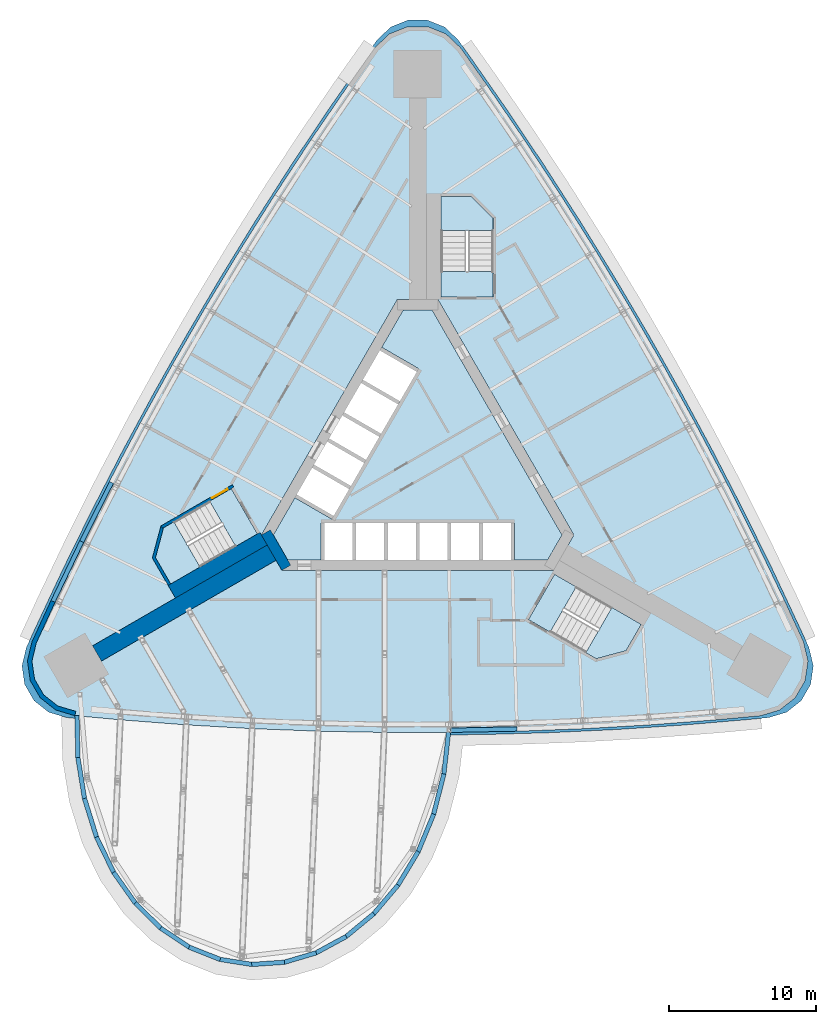
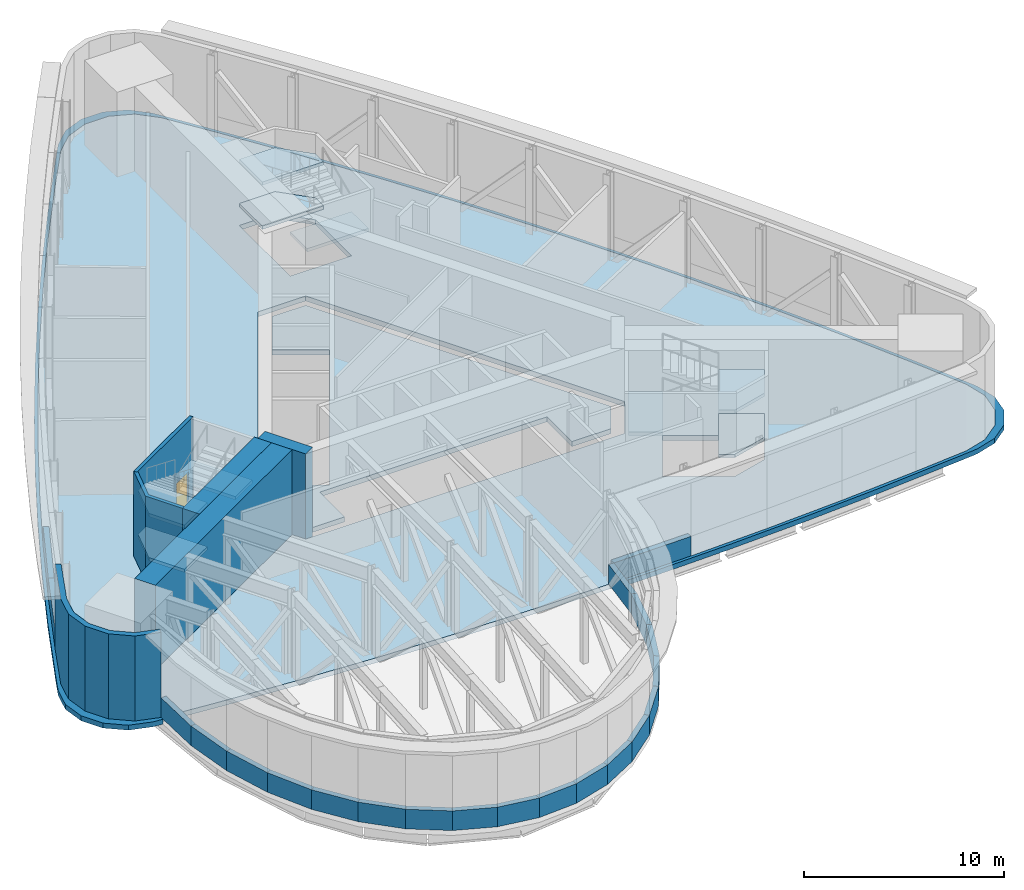
# One storey, part 5 of 10: 27 walls, 12 slabs, 1 door, 1 opening, 3 elements without a shape of their own.
"""IFC4 building model written with IfcOpenShell, lengths in metres."""

from ifc_helpers import new_model, si_unit, direction, frame, frame_2d, origin, place, context, subcontext, project, spatial, polyline, rectangle, outline, extrude, material, layer, layer_set, type_object, element, fill, aggregate, save


model = new_model("IFC4")

# Units and contexts
model_context = context("Model", 3, precision=1e-05, world=origin(), true_north=direction((0.0, 1.0)))
body_context = subcontext(model_context, "Body", "Model", "MODEL_VIEW")
ifc_project = project(units=[si_unit("LENGTHUNIT", "METRE"), si_unit("AREAUNIT", "SQUARE_METRE"), si_unit("VOLUMEUNIT", "CUBIC_METRE"), si_unit("PLANEANGLEUNIT", "RADIAN"), si_unit("MASSUNIT", "GRAM", prefix="KILO")], contexts=[model_context])

# Site, building, storey
site_placement = place(None, origin())
site = spatial("IfcSite", under=ifc_project, at=site_placement, CompositionType="ELEMENT")
building_placement = place(site_placement, origin())
building = spatial("IfcBuilding", under=site, at=building_placement, Name="Noor Cloister Tower", CompositionType="ELEMENT")
storey_placement = place(building_placement, frame((0.0, 0.0, 52.800048828125)))
storey = spatial("IfcBuildingStorey", under=building, at=storey_placement, Name="L13", CompositionType="ELEMENT", Elevation=52.800048828125)

# Slabs
ifc_material_1 = material(Name="Concrete C40/50", Category="concrete")
ifc_layer_1 = layer(ifc_material_1, 0.300048828125)
ifc_layer_set_1 = layer_set([ifc_layer_1], Name="Core floor slab 300 C40/50")
slab_type_1 = type_object("IfcSlabType", Name="Core floor slab 300 C40/50", PredefinedType="FLOOR", material=ifc_layer_set_1)
slab_1_placement = place(storey_placement, frame((0.0, 0.0, -0.300048828125)))
element("IfcSlab", 1, at=slab_1_placement, inside=storey, type_object=slab_type_1, Name="Core floor L13", PredefinedType="FLOOR", context=body_context, shape_type="SweptSolid", body=[
    extrude(outline(polyline([(-6.574951171875, -6.228271484375), (-6.574951171875, -3.728271484375), (6.574951171875, -3.728271484375), (6.574951171875, -6.228271484375), (8.82470703125, -6.228271484375), (9.80615234375, -4.5283203125), (0.9814453125, 10.75634765625), (-0.9814453125, 10.75634765625), (-2.44384765625, 8.2236328125), (0.067626953125, 6.773681640625), (-5.832275390625, -3.4453125), (-8.34375, -1.995361328125), (-9.80615234375, -4.5283203125), (-8.82470703125, -6.228271484375), (-6.574951171875, -6.228271484375)])), origin(), (0.0, 0.0, 1.0), 0.300048828125),
])
ifc_material_2 = material(Name="Concrete C40/50", Category="concrete")
ifc_layer_2 = layer(ifc_material_2, 0.300048828125)
ifc_layer_set_2 = layer_set([ifc_layer_2], Name="Floor slab 300 C40/50")
slab_type_2 = type_object("IfcSlabType", Name="Floor slab 300 C40/50", PredefinedType="FLOOR", material=ifc_layer_set_2)
slab_2_placement = place(storey_placement, frame((0.0, 0.0, -0.300048828125)))
element("IfcSlab", 2, at=slab_2_placement, inside=storey, type_object=slab_type_2, Name="Floor slab L13", PredefinedType="FLOOR", context=body_context, shape_type="SweptSolid", body=[
    extrude(outline(polyline([(2.90087890625, 28.576171875), (1.923828125, 29.502197265625), (0.673095703125, 30.000732421875), (-0.673095703125, 30.000732421875), (-1.923828125, 29.502197265625), (-2.90087890625, 28.576171875), (-4.683837890625, 26.05810546875), (-7.224609375, 22.343994140625), (-9.69384765625, 18.582275390625), (-12.091064453125, 14.77392578125), (-14.4150390625, 10.920654296875), (-16.6650390625, 7.0234375), (-18.840087890625, 3.084228515625), (-20.939697265625, -0.89599609375), (-22.962890625, -4.91552734375), (-24.908935546875, -8.972900390625), (-26.1982421875, -11.77587890625), (-26.511474609375, -13.085205078125), (-26.31787109375, -14.41748046875), (-25.644775390625, -15.583251953125), (-24.587890625, -16.417236328125), (-23.29736328125, -16.80029296875), (-20.22509765625, -17.085205078125), (-15.73828125, -17.4287109375), (-11.24560546875, -17.686279296875), (-6.7490234375, -17.858154296875), (-2.25, -17.944091796875), (2.25, -17.944091796875), (6.7490234375, -17.858154296875), (11.24560546875, -17.686279296875), (15.73828125, -17.4287109375), (20.22509765625, -17.085205078125), (23.29736328125, -16.80029296875), (24.587890625, -16.417236328125), (25.644775390625, -15.583251953125), (26.31787109375, -14.41748046875), (26.511474609375, -13.085205078125), (26.1982421875, -11.77587890625), (24.908935546875, -8.972900390625), (22.962890625, -4.91552734375), (20.939697265625, -0.89599609375), (18.840087890625, 3.084228515625), (16.6650390625, 7.0234375), (14.4150390625, 10.920654296875), (12.091064453125, 14.77392578125), (9.69384765625, 18.582275390625), (7.224609375, 22.343994140625), (4.683837890625, 26.05810546875), (2.90087890625, 28.576171875)]), holes=[polyline([(8.999755859375, -11.126220703125), (12.131591796875, -12.934326171875), (14.1572265625, -12.3916015625), (15.19091796875, -10.601318359375), (10.774658203125, -8.0517578125), (8.999755859375, -11.126220703125)]), polyline([(-17.81005859375, -6.064697265625), (-16.776611328125, -7.85498046875), (-12.3603515625, -5.305419921875), (-14.13525390625, -2.23095703125), (-16.662841796875, -3.690185546875), (-17.267333984375, -4.039306640625), (-17.81005859375, -6.064697265625)]), polyline([(-10.6142578125, -4.5283203125), (-9.228759765625, -6.92822265625), (9.228759765625, -6.92822265625), (10.6142578125, -4.5283203125), (1.3857421875, 11.456298828125), (-1.3857421875, 11.456298828125), (-10.6142578125, -4.5283203125)]), polyline([(3.65283203125, 18.456298828125), (1.585693359375, 18.456298828125), (1.585693359375, 13.35693359375), (5.135498046875, 13.35693359375), (5.135498046875, 16.9736328125), (3.65283203125, 18.456298828125)])]), origin(), (0.0, 0.0, 1.0), 0.300048828125),
])
ifc_material_3 = material(Name="Concrete C40/50", Category="concrete")
ifc_layer_3 = layer(ifc_material_3, 0.300048828125)
ifc_layer_set_3 = layer_set([ifc_layer_3], Name="Ledge roof 300 C40/50")
slab_type_3 = type_object("IfcSlabType", Name="Ledge roof 300 C40/50", PredefinedType="ROOF", material=ifc_layer_set_3)
slab_3_placement = place(storey_placement, frame((0.0, 0.0, -0.300048828125)))
element("IfcSlab", 3, at=slab_3_placement, inside=storey, type_object=slab_type_3, Name="Ledge roof L13", PredefinedType="ROOF", context=body_context, shape_type="SweptSolid", body=[
    extrude(outline(polyline([(6.12109375, 24.298828125), (3.548095703125, 27.990478515625), (2.743896484375, 29.1142578125), (1.819091796875, 29.98876953125), (0.636474609375, 30.45947265625), (-0.636474609375, 30.45947265625), (-1.819091796875, 29.98876953125), (-2.743896484375, 29.1142578125), (-3.548095703125, 27.990478515625), (-6.12109375, 24.298828125), (-8.6240234375, 20.55908203125), (-11.0556640625, 16.77294921875), (-13.415283203125, 12.941162109375), (-15.7021484375, 9.065673828125), (-17.9150390625, 5.1474609375), (-20.053466796875, 1.18798828125), (-22.11669921875, -2.81103515625), (-24.10400390625, -6.848388671875), (-26.014404296875, -10.922607421875), (-26.585693359375, -12.180908203125), (-26.880615234375, -13.419189453125), (-26.697021484375, -14.6787109375), (-26.060546875, -15.781005859375), (-25.0615234375, -16.56982421875), (-23.841796875, -16.933349609375), (-23.29296875, -16.987060546875), (-23.29736328125, -16.80029296875), (-24.587890625, -16.417236328125), (-25.644775390625, -15.583251953125), (-26.31787109375, -14.41748046875), (-26.511474609375, -13.085205078125), (-26.1982421875, -11.77587890625), (-24.908935546875, -8.972900390625), (-22.962890625, -4.91552734375), (-20.939697265625, -0.89599609375), (-18.840087890625, 3.084228515625), (-16.6650390625, 7.0234375), (-14.4150390625, 10.920654296875), (-12.091064453125, 14.77392578125), (-9.69384765625, 18.582275390625), (-7.224609375, 22.343994140625), (-4.683837890625, 26.05810546875), (-2.90087890625, 28.576171875), (-1.923828125, 29.502197265625), (-0.673095703125, 30.000732421875), (0.673095703125, 30.000732421875), (1.923828125, 29.502197265625), (2.90087890625, 28.576171875), (4.683837890625, 26.05810546875), (7.224609375, 22.343994140625), (9.69384765625, 18.582275390625), (12.091064453125, 14.77392578125), (14.4150390625, 10.920654296875), (16.6650390625, 7.0234375), (18.840087890625, 3.084228515625), (20.939697265625, -0.89599609375), (22.962890625, -4.91552734375), (24.908935546875, -8.972900390625), (26.1982421875, -11.77587890625), (26.511474609375, -13.085205078125), (26.31787109375, -14.41748046875), (25.644775390625, -15.583251953125), (24.587890625, -16.417236328125), (23.29736328125, -16.80029296875), (20.22509765625, -17.085205078125), (15.73828125, -17.4287109375), (11.24560546875, -17.686279296875), (6.7490234375, -17.858154296875), (2.25, -17.944091796875), (2.231201171875, -18.110107421875), (4.499755859375, -18.088623046875), (8.997802734375, -17.9609375), (13.49267578125, -17.748291015625), (17.98291015625, -17.450439453125), (22.466552734375, -17.06787109375), (23.841796875, -16.933349609375), (25.0615234375, -16.56982421875), (26.060546875, -15.781005859375), (26.697021484375, -14.6787109375), (26.880615234375, -13.419189453125), (26.585693359375, -12.180908203125), (26.014404296875, -10.922607421875), (24.10400390625, -6.848388671875), (22.11669921875, -2.81103515625), (20.053466796875, 1.18798828125), (17.9150390625, 5.1474609375), (15.7021484375, 9.065673828125), (13.415283203125, 12.941162109375), (11.0556640625, 16.77294921875), (8.6240234375, 20.55908203125), (6.12109375, 24.298828125)])), origin(), (0.0, 0.0, 1.0), 0.300048828125),
])

# Stair, slabs
ifc_material_4 = material(Name="Concrete C40/50", Category="concrete")
stair_type = type_object("IfcStairType", Name="Exit stair 32 risers", PredefinedType="HALF_TURN_STAIR", material=ifc_material_4)
stair_1_placement = place(storey_placement, origin())
stair_1 = element("IfcStair", 4, at=stair_1_placement, inside=storey, type_object=stair_type, Name="Exit stair ST1 L13", PredefinedType="HALF_TURN_STAIR")
ifc_material_5 = material(Name="Concrete C40/50", Category="concrete")
ifc_layer_4 = layer(ifc_material_5, 0.199951171875)
ifc_layer_set_4 = layer_set([ifc_layer_4], Name="Stair landing 200 C40/50")
slab_type_4 = type_object("IfcSlabType", Name="Stair landing 200 C40/50", PredefinedType="LANDING", material=ifc_layer_set_4)
slab_4_placement = place(storey_placement, frame((0.0, 0.0, 1.14990234375)))
slab_4 = element("IfcSlab", 5, at=slab_4_placement, type_object=slab_type_4, Name="ST1 landing 1", PredefinedType="LANDING", context=body_context, shape_type="SweptSolid", body=[
    extrude(outline(polyline([(5.135498046875, 16.15576171875), (5.135498046875, 16.9736328125), (3.65283203125, 18.456298828125), (1.585693359375, 18.456298828125), (1.585693359375, 16.15576171875), (5.135498046875, 16.15576171875)])), origin(), (0.0, 0.0, 1.0), 0.199951171875),
])
slab_5_placement = place(storey_placement, frame((0.0, 0.0, 2.5)))
slab_5 = element("IfcSlab", 6, at=slab_5_placement, type_object=slab_type_4, Name="ST1 landing 2", PredefinedType="LANDING", context=body_context, shape_type="SweptSolid", body=[
    extrude(outline(polyline([(1.585693359375, 13.35693359375), (1.585693359375, 11.656494140625), (5.135498046875, 11.656494140625), (5.135498046875, 13.35693359375), (1.585693359375, 13.35693359375)])), origin(), (0.0, 0.0, 1.0), 0.199951171875),
])
slab_6_placement = place(storey_placement, frame((0.0, 0.0, 3.849853515625)))
slab_6 = element("IfcSlab", 7, at=slab_6_placement, type_object=slab_type_4, Name="ST1 landing 3", PredefinedType="LANDING", context=body_context, shape_type="SweptSolid", body=[
    extrude(outline(polyline([(5.135498046875, 16.15576171875), (5.135498046875, 16.9736328125), (3.65283203125, 18.456298828125), (1.585693359375, 18.456298828125), (1.585693359375, 16.15576171875), (5.135498046875, 16.15576171875)])), origin(), (0.0, 0.0, 1.0), 0.2001953125),
])
aggregate(stair_1, [slab_4, slab_5, slab_6])

stair_2_placement = place(storey_placement, origin())
stair_2 = element("IfcStair", 8, at=stair_2_placement, inside=storey, type_object=stair_type, Name="Exit stair ST2 L13", PredefinedType="HALF_TURN_STAIR")
slab_7_placement = place(storey_placement, frame((0.0, 0.0, 1.14990234375)))
slab_7 = element("IfcSlab", 9, at=slab_7_placement, type_object=slab_type_4, Name="ST2 landing 1", PredefinedType="LANDING", context=body_context, shape_type="SweptSolid", body=[
    extrude(outline(polyline([(-16.55908203125, -3.63037109375), (-17.267333984375, -4.039306640625), (-17.81005859375, -6.064697265625), (-16.776611328125, -7.85498046875), (-14.7841796875, -6.70458984375), (-16.55908203125, -3.63037109375)])), origin(), (0.0, 0.0, 1.0), 0.199951171875),
])
slab_8_placement = place(storey_placement, frame((0.0, 0.0, 2.5)))
slab_8 = element("IfcSlab", 10, at=slab_8_placement, type_object=slab_type_4, Name="ST2 landing 2", PredefinedType="LANDING", context=body_context, shape_type="SweptSolid", body=[
    extrude(outline(polyline([(-12.3603515625, -5.305419921875), (-10.8876953125, -4.455078125), (-12.66259765625, -1.380615234375), (-14.13525390625, -2.23095703125), (-12.3603515625, -5.305419921875)])), origin(), (0.0, 0.0, 1.0), 0.199951171875),
])
slab_9_placement = place(storey_placement, frame((0.0, 0.0, 3.849853515625)))
slab_9 = element("IfcSlab", 11, at=slab_9_placement, type_object=slab_type_4, Name="ST2 landing 3", PredefinedType="LANDING", context=body_context, shape_type="SweptSolid", body=[
    extrude(outline(polyline([(-16.55908203125, -3.63037109375), (-17.267333984375, -4.039306640625), (-17.81005859375, -6.064697265625), (-16.776611328125, -7.85498046875), (-14.7841796875, -6.70458984375), (-16.55908203125, -3.63037109375)])), origin(), (0.0, 0.0, 1.0), 0.2001953125),
])
aggregate(stair_2, [slab_7, slab_8, slab_9])

stair_3_placement = place(storey_placement, origin())
stair_3 = element("IfcStair", 12, at=stair_3_placement, inside=storey, type_object=stair_type, Name="Exit stair ST3 L13", PredefinedType="HALF_TURN_STAIR")
slab_10_placement = place(storey_placement, frame((0.0, 0.0, 1.14990234375)))
slab_10 = element("IfcSlab", 13, at=slab_10_placement, type_object=slab_type_4, Name="ST3 landing 1", PredefinedType="LANDING", context=body_context, shape_type="SweptSolid", body=[
    extrude(outline(polyline([(11.423583984375, -12.525390625), (12.131591796875, -12.934326171875), (14.1572265625, -12.3916015625), (15.19091796875, -10.601318359375), (13.198486328125, -9.451171875), (11.423583984375, -12.525390625)])), origin(), (0.0, 0.0, 1.0), 0.199951171875),
])
slab_11_placement = place(storey_placement, frame((0.0, 0.0, 2.5)))
slab_11 = element("IfcSlab", 14, at=slab_11_placement, type_object=slab_type_4, Name="ST3 landing 2", PredefinedType="LANDING", context=body_context, shape_type="SweptSolid", body=[
    extrude(outline(polyline([(10.774658203125, -8.0517578125), (9.302001953125, -7.201416015625), (7.52685546875, -10.27587890625), (8.999755859375, -11.126220703125), (10.774658203125, -8.0517578125)])), origin(), (0.0, 0.0, 1.0), 0.199951171875),
])
slab_12_placement = place(storey_placement, frame((0.0, 0.0, 3.849853515625)))
slab_12 = element("IfcSlab", 15, at=slab_12_placement, type_object=slab_type_4, Name="ST3 landing 3", PredefinedType="LANDING", context=body_context, shape_type="SweptSolid", body=[
    extrude(outline(polyline([(11.423583984375, -12.525390625), (12.131591796875, -12.934326171875), (14.1572265625, -12.3916015625), (15.19091796875, -10.601318359375), (13.198486328125, -9.451171875), (11.423583984375, -12.525390625)])), origin(), (0.0, 0.0, 1.0), 0.2001953125),
])
aggregate(stair_3, [slab_10, slab_11, slab_12])

# Walls
ifc_material_6 = material(Name="Concrete C80/95", Category="concrete")
ifc_layer_5 = layer(ifc_material_6, 1.199951171875)
ifc_layer_set_5 = layer_set([ifc_layer_5], Name="Buttress wall 1200 C80/95")
wall_type_1 = type_object("IfcWallType", Name="Buttress wall 1200 C80/95", PredefinedType="SHEAR", material=ifc_layer_set_5)
wall_1_placement = place(storey_placement, frame((-9.921630859375, -5.728271484375, -0.300048828125), z_axis=(0.0, 0.0, 1.0), x_axis=(-0.866030067197, -0.499991922645, 0.0)))
element("IfcWall", 16, at=wall_1_placement, inside=storey, type_object=wall_type_1, Name="Buttress wall SW L13", PredefinedType="SHEAR", context=body_context, shape_type="SweptSolid", body=[
    extrude(rectangle(XDim=13.698486328125, YDim=1.199951171875, at=frame_2d((6.84912109375, 0.0))), origin(), (0.0, 0.0, 1.0), 5.5),
])
ifc_material_7 = material(Name="Concrete C80/95", Category="concrete")
ifc_layer_6 = layer(ifc_material_7, 0.699951171875)
ifc_layer_set_6 = layer_set([ifc_layer_6], Name="Core wall 700 C80/95")
wall_type_2 = type_object("IfcWallType", Name="Core wall 700 C80/95", PredefinedType="SHEAR", material=ifc_layer_set_6)
wall_2_placement = place(storey_placement, frame((-10.311279296875, -4.353271484375, -0.300048828125), z_axis=(0.0, 0.0, 1.0), x_axis=(0.500042739161, -0.866000726912, 0.0)))
element("IfcWall", 17, at=wall_2_placement, inside=storey, type_object=wall_type_2, Name="Core wall L13 6", PredefinedType="SHEAR", context=body_context, shape_type="SweptSolid", body=[
    extrude(rectangle(XDim=2.771240234375, YDim=0.699951171875, at=frame_2d((1.3857421875, 0.0))), origin(), (0.0, 0.0, 1.0), 5.5),
])
ifc_material_8 = material(Name="Limestone", Category="masonry")
ifc_layer_7 = layer(ifc_material_8, 0.300048828125)
ifc_layer_set_7 = layer_set([ifc_layer_7], Name="Limestone cladding 300")
wall_type_3 = type_object("IfcWallType", Name="Limestone cladding 300", PredefinedType="NOTDEFINED", material=ifc_layer_set_7)
wall_3_placement = place(storey_placement, origin())
element("IfcWall", 18, at=wall_3_placement, inside=storey, type_object=wall_type_3, Name="Limestone pier cladding L13 1.1", PredefinedType="NOTDEFINED", context=body_context, shape_type="SweptSolid", body=[
    extrude(outline(polyline([(-24.908935546875, -8.972900390625), (-26.1982421875, -11.77587890625), (-26.511474609375, -13.085205078125), (-26.31787109375, -14.41748046875), (-25.644775390625, -15.583251953125), (-24.587890625, -16.417236328125), (-23.29736328125, -16.80029296875), (-23.2119140625, -16.5126953125), (-24.447265625, -16.14599609375), (-25.413818359375, -15.383544921875), (-26.029296875, -14.317138671875), (-26.206298828125, -13.098876953125), (-25.913330078125, -11.87451171875), (-24.63623046875, -9.09814453125), (-24.908935546875, -8.972900390625)])), origin(), (0.0, 0.0, 1.0), 5.199951171875),
])
ifc_material_9 = material(Name="Limestone", Category="masonry")
ifc_layer_8 = layer(ifc_material_9, 0.300048828125)
ifc_layer_set_8 = layer_set([ifc_layer_8], Name="Limestone panel wall 300")
wall_type_4 = type_object("IfcWallType", Name="Limestone panel wall 300", PredefinedType="NOTDEFINED", material=ifc_layer_set_8)
wall_4_placement = place(storey_placement, origin())
element("IfcWall", 19, at=wall_4_placement, inside=storey, type_object=wall_type_4, Name="Limestone panel wall L13 1.8", PredefinedType="NOTDEFINED", context=body_context, shape_type="SweptSolid", body=[
    extrude(outline(polyline([(-20.939697265625, -0.89599609375), (-22.962890625, -4.91552734375), (-22.69482421875, -5.05029296875), (-20.671630859375, -1.03076171875), (-20.939697265625, -0.89599609375)])), origin(), (0.0, 0.0, 1.0), 1.199951171875),
])
wall_5_placement = place(storey_placement, origin())
element("IfcWall", 20, at=wall_5_placement, inside=storey, type_object=wall_type_4, Name="Limestone panel wall L13 1.9", PredefinedType="NOTDEFINED", context=body_context, shape_type="SweptSolid", body=[
    extrude(outline(polyline([(-22.962890625, -4.91552734375), (-24.908935546875, -8.972900390625), (-24.638427734375, -9.1025390625), (-22.6923828125, -5.045166015625), (-22.962890625, -4.91552734375)])), origin(), (0.0, 0.0, 1.0), 1.199951171875),
])
wall_6_placement = place(storey_placement, origin())
element("IfcWall", 21, at=wall_6_placement, inside=storey, type_object=wall_type_4, Name="Limestone panel wall L13 2.1", PredefinedType="NOTDEFINED", context=body_context, shape_type="SweptSolid", body=[
    extrude(outline(polyline([(-23.29736328125, -16.80029296875), (-23.2314453125, -19.67138671875), (-22.931396484375, -19.66455078125), (-22.997314453125, -16.79345703125), (-23.29736328125, -16.80029296875)])), origin(), (0.0, 0.0, 1.0), 1.199951171875),
])
wall_7_placement = place(storey_placement, origin())
element("IfcWall", 22, at=wall_7_placement, inside=storey, type_object=wall_type_4, Name="Limestone panel wall L13 2.2", PredefinedType="NOTDEFINED", context=body_context, shape_type="SweptSolid", body=[
    extrude(outline(polyline([(-23.2314453125, -19.67138671875), (-22.779296875, -22.472412109375), (-22.483154296875, -22.4248046875), (-22.93505859375, -19.62353515625), (-23.2314453125, -19.67138671875)])), origin(), (0.0, 0.0, 1.0), 1.199951171875),
])
wall_8_placement = place(storey_placement, origin())
element("IfcWall", 23, at=wall_8_placement, inside=storey, type_object=wall_type_4, Name="Limestone panel wall L13 2.3", PredefinedType="NOTDEFINED", context=body_context, shape_type="SweptSolid", body=[
    extrude(outline(polyline([(-22.779296875, -22.472412109375), (-21.954833984375, -25.11865234375), (-21.66845703125, -25.029541015625), (-22.492919921875, -22.38330078125), (-22.779296875, -22.472412109375)])), origin(), (0.0, 0.0, 1.0), 1.199951171875),
])
wall_9_placement = place(storey_placement, origin())
element("IfcWall", 24, at=wall_9_placement, inside=storey, type_object=wall_type_4, Name="Limestone panel wall L13 2.4", PredefinedType="NOTDEFINED", context=body_context, shape_type="SweptSolid", body=[
    extrude(outline(polyline([(-21.954833984375, -25.11865234375), (-20.783203125, -27.529541015625), (-20.513427734375, -27.3984375), (-21.68505859375, -24.987548828125), (-21.954833984375, -25.11865234375)])), origin(), (0.0, 0.0, 1.0), 1.199951171875),
])
wall_10_placement = place(storey_placement, origin())
element("IfcWall", 25, at=wall_10_placement, inside=storey, type_object=wall_type_4, Name="Limestone panel wall L13 2.5", PredefinedType="NOTDEFINED", context=body_context, shape_type="SweptSolid", body=[
    extrude(outline(polyline([(-20.783203125, -27.529541015625), (-19.299560546875, -29.6318359375), (-19.054443359375, -29.458740234375), (-20.5380859375, -27.3564453125), (-20.783203125, -27.529541015625)])), origin(), (0.0, 0.0, 1.0), 1.199951171875),
])
wall_11_placement = place(storey_placement, origin())
element("IfcWall", 26, at=wall_11_placement, inside=storey, type_object=wall_type_4, Name="Limestone panel wall L13 2.6", PredefinedType="NOTDEFINED", context=body_context, shape_type="SweptSolid", body=[
    extrude(outline(polyline([(-19.299560546875, -29.6318359375), (-17.549560546875, -31.361328125), (-17.338623046875, -31.14794921875), (-19.0888671875, -29.41845703125), (-19.299560546875, -29.6318359375)])), origin(), (0.0, 0.0, 1.0), 1.199951171875),
])
wall_12_placement = place(storey_placement, origin())
element("IfcWall", 27, at=wall_12_placement, inside=storey, type_object=wall_type_4, Name="Limestone panel wall L13 2.7", PredefinedType="NOTDEFINED", context=body_context, shape_type="SweptSolid", body=[
    extrude(outline(polyline([(-17.549560546875, -31.361328125), (-15.5859375, -32.666015625), (-15.419921875, -32.416259765625), (-17.383544921875, -31.111572265625), (-17.549560546875, -31.361328125)])), origin(), (0.0, 0.0, 1.0), 1.199951171875),
])
wall_13_placement = place(storey_placement, origin())
element("IfcWall", 28, at=wall_13_placement, inside=storey, type_object=wall_type_4, Name="Limestone panel wall L13 2.8", PredefinedType="NOTDEFINED", context=body_context, shape_type="SweptSolid", body=[
    extrude(outline(polyline([(-15.5859375, -32.666015625), (-13.468505859375, -33.506103515625), (-13.35791015625, -33.22705078125), (-15.475341796875, -32.38720703125), (-15.5859375, -32.666015625)])), origin(), (0.0, 0.0, 1.0), 1.199951171875),
])
wall_14_placement = place(storey_placement, origin())
element("IfcWall", 29, at=wall_14_placement, inside=storey, type_object=wall_type_4, Name="Limestone panel wall L13 2.9", PredefinedType="NOTDEFINED", context=body_context, shape_type="SweptSolid", body=[
    extrude(outline(polyline([(-13.468505859375, -33.506103515625), (-11.26171875, -33.855712890625), (-11.214599609375, -33.559326171875), (-13.421630859375, -33.209716796875), (-13.468505859375, -33.506103515625)])), origin(), (0.0, 0.0, 1.0), 1.199951171875),
])
wall_15_placement = place(storey_placement, origin())
element("IfcWall", 30, at=wall_15_placement, inside=storey, type_object=wall_type_4, Name="Limestone panel wall L13 2.10", PredefinedType="NOTDEFINED", context=body_context, shape_type="SweptSolid", body=[
    extrude(outline(polyline([(-11.26171875, -33.855712890625), (-9.0322265625, -33.70458984375), (-9.052490234375, -33.4052734375), (-11.281982421875, -33.556396484375), (-11.26171875, -33.855712890625)])), origin(), (0.0, 0.0, 1.0), 1.199951171875),
])
wall_16_placement = place(storey_placement, origin())
element("IfcWall", 31, at=wall_16_placement, inside=storey, type_object=wall_type_4, Name="Limestone panel wall L13 2.11", PredefinedType="NOTDEFINED", context=body_context, shape_type="SweptSolid", body=[
    extrude(outline(polyline([(-9.0322265625, -33.70458984375), (-6.84814453125, -33.05712890625), (-6.93359375, -32.76953125), (-9.117431640625, -33.4169921875), (-9.0322265625, -33.70458984375)])), origin(), (0.0, 0.0, 1.0), 1.199951171875),
])
wall_17_placement = place(storey_placement, origin())
element("IfcWall", 32, at=wall_17_placement, inside=storey, type_object=wall_type_4, Name="Limestone panel wall L13 2.12", PredefinedType="NOTDEFINED", context=body_context, shape_type="SweptSolid", body=[
    extrude(outline(polyline([(-6.84814453125, -33.05712890625), (-4.77587890625, -31.933349609375), (-4.9189453125, -31.669677734375), (-6.9912109375, -32.79345703125), (-6.84814453125, -33.05712890625)])), origin(), (0.0, 0.0, 1.0), 1.199951171875),
])
wall_18_placement = place(storey_placement, origin())
element("IfcWall", 33, at=wall_18_placement, inside=storey, type_object=wall_type_4, Name="Limestone panel wall L13 2.13", PredefinedType="NOTDEFINED", context=body_context, shape_type="SweptSolid", body=[
    extrude(outline(polyline([(-4.77587890625, -31.933349609375), (-2.878173828125, -30.366943359375), (-3.069091796875, -30.135498046875), (-4.966796875, -31.701904296875), (-4.77587890625, -31.933349609375)])), origin(), (0.0, 0.0, 1.0), 1.199951171875),
])
wall_19_placement = place(storey_placement, origin())
element("IfcWall", 34, at=wall_19_placement, inside=storey, type_object=wall_type_4, Name="Limestone panel wall L13 2.14", PredefinedType="NOTDEFINED", context=body_context, shape_type="SweptSolid", body=[
    extrude(outline(polyline([(-2.878173828125, -30.366943359375), (-1.212890625, -28.40576171875), (-1.44140625, -28.21142578125), (-3.10693359375, -30.172607421875), (-2.878173828125, -30.366943359375)])), origin(), (0.0, 0.0, 1.0), 1.199951171875),
])
wall_20_placement = place(storey_placement, origin())
element("IfcWall", 35, at=wall_20_placement, inside=storey, type_object=wall_type_4, Name="Limestone panel wall L13 2.15", PredefinedType="NOTDEFINED", context=body_context, shape_type="SweptSolid", body=[
    extrude(outline(polyline([(-1.212890625, -28.40576171875), (0.169677734375, -26.109130859375), (-0.08740234375, -25.95458984375), (-1.469970703125, -28.2509765625), (-1.212890625, -28.40576171875)])), origin(), (0.0, 0.0, 1.0), 1.199951171875),
])
wall_21_placement = place(storey_placement, origin())
element("IfcWall", 36, at=wall_21_placement, inside=storey, type_object=wall_type_4, Name="Limestone panel wall L13 2.16", PredefinedType="NOTDEFINED", context=body_context, shape_type="SweptSolid", body=[
    extrude(outline(polyline([(0.169677734375, -26.109130859375), (1.227294921875, -23.54736328125), (0.949951171875, -23.432861328125), (-0.107666015625, -25.99462890625), (0.169677734375, -26.109130859375)])), origin(), (0.0, 0.0, 1.0), 1.199951171875),
])
wall_22_placement = place(storey_placement, origin())
element("IfcWall", 37, at=wall_22_placement, inside=storey, type_object=wall_type_4, Name="Limestone panel wall L13 2.17", PredefinedType="NOTDEFINED", context=body_context, shape_type="SweptSolid", body=[
    extrude(outline(polyline([(1.227294921875, -23.54736328125), (1.927734375, -20.797607421875), (1.636962890625, -20.7236328125), (0.9365234375, -23.47314453125), (1.227294921875, -23.54736328125)])), origin(), (0.0, 0.0, 1.0), 1.199951171875),
])
wall_23_placement = place(storey_placement, origin())
element("IfcWall", 38, at=wall_23_placement, inside=storey, type_object=wall_type_4, Name="Limestone panel wall L13 2.18", PredefinedType="NOTDEFINED", context=body_context, shape_type="SweptSolid", body=[
    extrude(outline(polyline([(1.927734375, -20.797607421875), (2.25, -17.944091796875), (1.951904296875, -17.910400390625), (1.629638671875, -20.76416015625), (1.927734375, -20.797607421875)])), origin(), (0.0, 0.0, 1.0), 1.199951171875),
])
wall_24_placement = place(storey_placement, origin())
element("IfcWall", 39, at=wall_24_placement, inside=storey, type_object=wall_type_4, Name="Limestone panel wall L13 3.1", PredefinedType="NOTDEFINED", context=body_context, shape_type="SweptSolid", body=[
    extrude(outline(polyline([(2.25, -17.944091796875), (6.7490234375, -17.858154296875), (6.743408203125, -17.55810546875), (2.244140625, -17.64404296875), (2.25, -17.944091796875)])), origin(), (0.0, 0.0, 1.0), 1.199951171875),
])

# Wall, opening, door
ifc_material_10 = material(Name="Concrete C80/95", Category="concrete")
ifc_layer_9 = layer(ifc_material_10, 0.199951171875)
ifc_layer_set_9 = layer_set([ifc_layer_9], Name="Stair enclosure wall 200 C80/95")
wall_type_5 = type_object("IfcWallType", Name="Stair enclosure wall 200 C80/95", PredefinedType="SHEAR", material=ifc_layer_set_9)
wall_25_placement = place(storey_placement, frame((-12.539306640625, -1.194091796875, -0.300048828125), z_axis=(0.0, 0.0, 1.0), x_axis=(-0.866045472092, -0.499965239061, 0.0)))
wall_25 = element("IfcWall", 40, at=wall_25_placement, inside=storey, type_object=wall_type_5, Name="Stair enclosure wall ST2 L13 outer side", PredefinedType="SHEAR", context=body_context, shape_type="SweptSolid", body=[
    extrude(rectangle(XDim=5.60009765625, YDim=0.199951171875, at=frame_2d((2.800048828125, 0.0))), origin(), (0.0, 0.0, 1.0), 5.5),
])
opening_placement = place(wall_25_placement, frame((0.449951171875, 0.0, 0.300048828125)))
opening = element("IfcOpeningElement", 41, at=opening_placement, cuts=wall_25, Name="Opening L13-ST2C", PredefinedType="OPENING", context=body_context, shape_type="SweptSolid", body=[
    extrude(rectangle(XDim=1.199951171875, YDim=2.10009765625, at=frame_2d((0.60009765625, 1.050048828125))), frame((0.0, 0.10986328125, 0.0), z_axis=(0.0, -1.0, 0.0), x_axis=(1.0, 0.0, 0.0)), (0.0, 0.0, 1.0), 0.219970703125),
])
ifc_material_11 = material(Name="Steel", Category="steel")
door_type = type_object("IfcDoorType", Name="Stair door 1200 x 2100 FD120", OperationType="SINGLE_SWING_LEFT", PredefinedType="DOOR", material=ifc_material_11)
door_placement = place(opening_placement, origin())
door = element("IfcDoor", 42, at=door_placement, inside=storey, type_object=door_type, Name="Stair door ST2 L13", OperationType="SINGLE_SWING_LEFT", OverallHeight=2.10009765625, OverallWidth=1.199951171875, PredefinedType="DOOR", context=body_context, shape_type="SweptSolid", body=[
    extrude(rectangle(XDim=1.199951171875, YDim=2.10009765625, at=frame_2d((0.60009765625, 1.050048828125))), frame((0.0, 0.02490234375, 0.0), z_axis=(0.0, -1.0, 0.0), x_axis=(1.0, 0.0, 0.0)), (0.0, 0.0, 1.0), 0.050048828125),
])
fill(opening, door)

# Walls
ifc_material_12 = material(Name="Concrete C80/95", Category="concrete")
ifc_layer_10 = layer(ifc_material_12, 0.986083984375)
ifc_layer_set_10 = layer_set([ifc_layer_10], Name="Stair enclosure wall 986 C80/95")
wall_type_6 = type_object("IfcWallType", Name="Stair enclosure wall 986 C80/95", PredefinedType="SHEAR", material=ifc_layer_set_10)
wall_26_placement = place(storey_placement, frame((-10.468017578125, -4.78173828125, -0.300048828125), z_axis=(0.0, 0.0, 1.0), x_axis=(-0.866018442252, -0.500012057535, 0.0)))
element("IfcWall", 43, at=wall_26_placement, inside=storey, type_object=wall_type_6, Name="Stair enclosure wall ST2 L13 riser side", PredefinedType="SHEAR", context=body_context, shape_type="SweptSolid", body=[
    extrude(rectangle(XDim=7.199951171875, YDim=0.985595703125, at=frame_2d((3.60009765625, 0.0))), origin(), (0.0, 0.0, 1.0), 5.5),
])
ifc_material_13 = material(Name="Concrete C80/95", Category="concrete")
wall_type_7 = type_object("IfcWallType", Name="Stair far end wall C80/95", PredefinedType="SHEAR", material=ifc_material_13)
wall_27_placement = place(storey_placement, frame((0.0, 0.0, -0.300048828125)))
element("IfcWall", 44, at=wall_27_placement, inside=storey, type_object=wall_type_7, Name="Stair enclosure wall ST2 L13 far end", PredefinedType="SHEAR", context=body_context, shape_type="SweptSolid", body=[
    extrude(outline(polyline([(-17.439208984375, -3.907470703125), (-18.024658203125, -6.093017578125), (-16.94970703125, -7.955078125), (-16.776611328125, -7.85498046875), (-17.81005859375, -6.064697265625), (-17.267333984375, -4.039306640625), (-17.339111328125, -4.08056640625), (-17.339111328125, -4.08056640625), (-17.339111328125, -4.08056640625), (-17.339111328125, -4.08056640625), (-17.339111328125, -4.08056640625), (-17.339111328125, -4.08056640625), (-17.339111328125, -4.08056640625), (-17.339111328125, -4.08056640625), (-17.339111328125, -4.08056640625), (-17.339111328125, -4.08056640625), (-17.339111328125, -4.08056640625), (-17.339111328125, -4.08056640625), (-17.339111328125, -4.08056640625), (-17.339111328125, -4.08056640625), (-17.339111328125, -4.08056640625), (-17.339111328125, -4.08056640625), (-17.339111328125, -4.08056640625), (-17.439208984375, -3.907470703125)])), origin(), (0.0, 0.0, 1.0), 5.5),
])

save(model, "model.ifc")
